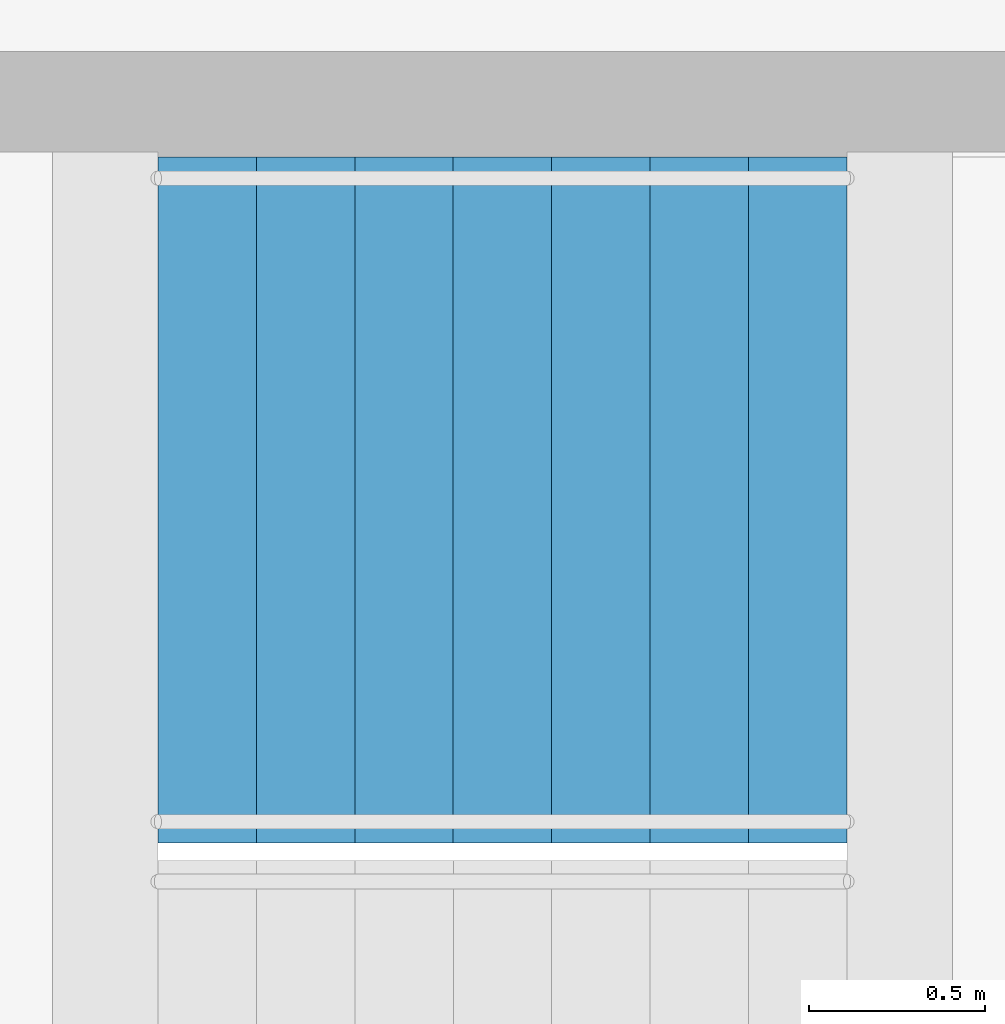
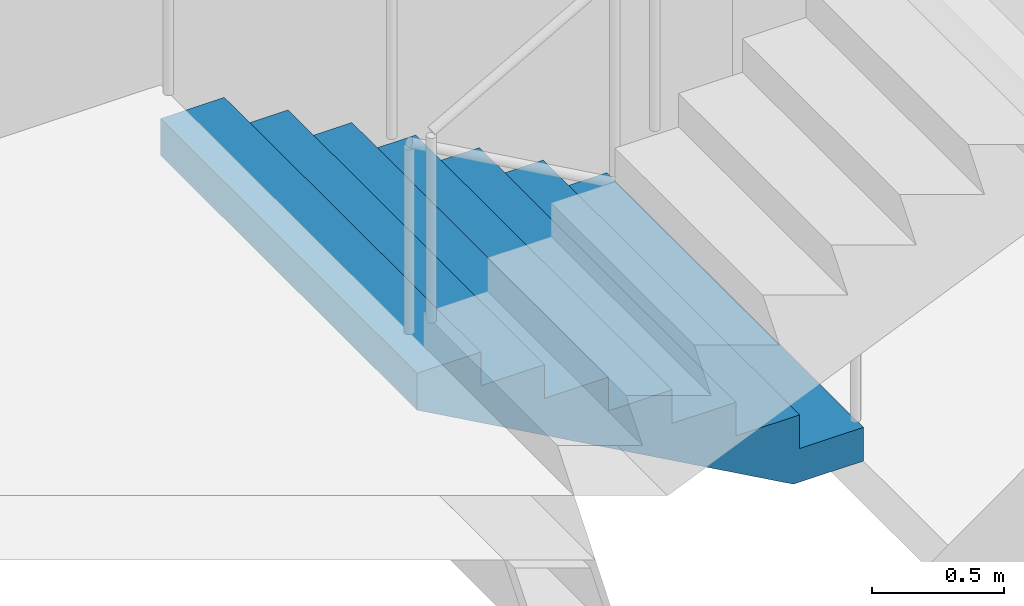
# One storey, part 26 of 37: 1 stair flight, 1 element without a shape of its own.
"""IFC4 building model written with IfcOpenShell, lengths in metres."""

from ifc_helpers import new_model, si_unit, direction, frame, origin, place, context, subcontext, project, spatial, triangles, material, type_object, element, aggregate, save


model = new_model("IFC4")

# Units and contexts
model_context = context("Model", 3, precision=1e-05, world=origin(), true_north=direction((0.0, 1.0)))
body_context = subcontext(model_context, "Body", "Model", "MODEL_VIEW")
ifc_project = project(units=[si_unit("LENGTHUNIT", "METRE"), si_unit("AREAUNIT", "SQUARE_METRE"), si_unit("VOLUMEUNIT", "CUBIC_METRE"), si_unit("PLANEANGLEUNIT", "RADIAN"), si_unit("MASSUNIT", "GRAM", prefix="KILO")], contexts=[model_context])

# Site, building, storey
site_placement = place(None, origin())
site = spatial("IfcSite", under=ifc_project, at=site_placement, CompositionType="ELEMENT")
building_placement = place(site_placement, origin())
building = spatial("IfcBuilding", under=site, at=building_placement, Name="Orbita Commons", CompositionType="ELEMENT")
storey_placement = place(building_placement, frame((0.0, 0.0, 6.0)))
storey = spatial("IfcBuildingStorey", under=building, at=storey_placement, Name="L01", CompositionType="ELEMENT", Elevation=6.0)

# Stair, stair flight
ifc_material_1 = material(Name="Precast concrete C40/50", Category="concrete")
stair_type = type_object("IfcStairType", Name="Exit stair S2 4 flights 8 risers 156", PredefinedType="HALF_TURN_STAIR", material=ifc_material_1)
stair_placement = place(storey_placement, origin())
stair = element("IfcStair", 1, at=stair_placement, inside=storey, type_object=stair_type, Name="Exit stair S2 L01", PredefinedType="HALF_TURN_STAIR")
ifc_material_2 = material(Name="Precast concrete C40/50", Category="concrete")
stair_flight_type = type_object("IfcStairFlightType", Name="Stair flight 8 risers 156 x 280", PredefinedType="STRAIGHT", material=ifc_material_2)
stair_flight_placement = place(storey_placement, frame((63.550048828125, 29.27490234375, 0.0), z_axis=(0.0, 0.0, 1.0), x_axis=(-1.0, 0.0, 0.0)))
stair_flight = element("IfcStairFlight", 2, at=stair_flight_placement, type_object=stair_flight_type, Name="S2 flight 1", NumberOfRisers=8, NumberOfTreads=7, PredefinedType="STRAIGHT", RiserHeight=0.15625, TreadLength=0.28, context=body_context, shape_type="Tessellation", body=[
    triangles([(0.0, 0.974976, 0.0), (0.0, 0.974976, 0.019531), (0.0, 0.81248, 0.019531), (0.0, 0.81248, 0.0), (0.0, 0.649984, 0.019531), (0.0, 0.649984, 0.0), (0.0, 0.487488, 0.019531), (0.0, 0.487488, 0.0), (0.0, 0.324992, 0.019531), (0.0, 0.324992, 0.0), (0.0, 0.162496, 0.019531), (0.0, 0.162496, 0.0), (0.0, 0.0, 0.019531), (0.0, 0.0, 0.0), (0.0, -0.162496, 0.019531), (0.0, -0.162496, 0.0), (0.0, -0.324992, 0.019531), (0.0, -0.324992, 0.0), (0.0, -0.487488, 0.019531), (0.0, -0.487488, 0.0), (0.0, -0.649984, 0.019531), (0.0, -0.649984, 0.0), (0.0, -0.81248, 0.019531), (0.0, -0.81248, 0.0), (0.0, -0.974976, 0.019531), (0.0, -0.974976, 0.0), (0.0, 0.974976, 0.039062), (0.0, 0.81248, 0.039062), (0.0, 0.649984, 0.039062), (0.0, 0.487488, 0.039062), (0.0, 0.324992, 0.039062), (0.0, 0.162496, 0.039062), (0.0, 0.0, 0.039062), (0.0, -0.162496, 0.039062), (0.0, -0.324992, 0.039062), (0.0, -0.487488, 0.039062), (0.0, -0.649984, 0.039062), (0.0, -0.81248, 0.039062), (0.0, -0.974976, 0.039062), (0.0, 0.974976, 0.058594), (0.0, 0.81248, 0.058594), (0.0, 0.649984, 0.058594), (0.0, 0.487488, 0.058594), (0.0, 0.324992, 0.058594), (0.0, 0.162496, 0.058594), (0.0, 0.0, 0.058594), (0.0, -0.162496, 0.058594), (0.0, -0.324992, 0.058594), (0.0, -0.487488, 0.058594), (0.0, -0.649984, 0.058594), (0.0, -0.81248, 0.058594), (0.0, -0.974976, 0.058594), (0.0, 0.974976, 0.078125), (0.0, 0.81248, 0.078125), (0.0, 0.649984, 0.078125), (0.0, 0.487488, 0.078125), (0.0, 0.324992, 0.078125), (0.0, 0.162496, 0.078125), (0.0, 0.0, 0.078125), (0.0, -0.162496, 0.078125), (0.0, -0.324992, 0.078125), (0.0, -0.487488, 0.078125), (0.0, -0.649984, 0.078125), (0.0, -0.81248, 0.078125), (0.0, -0.974976, 0.078125), (0.0, 0.974976, 0.097656), (0.0, 0.81248, 0.097656), (0.0, 0.649984, 0.097656), (0.0, 0.487488, 0.097656), (0.0, 0.324992, 0.097656), (0.0, 0.162496, 0.097656), (0.0, 0.0, 0.097656), (0.0, -0.162496, 0.097656), (0.0, -0.324992, 0.097656), (0.0, -0.487488, 0.097656), (0.0, -0.649984, 0.097656), (0.0, -0.81248, 0.097656), (0.0, -0.974976, 0.097656), (0.0, 0.974976, 0.117188), (0.0, 0.81248, 0.117188), (0.0, 0.649984, 0.117188), (0.0, 0.487488, 0.117188), (0.0, 0.324992, 0.117188), (0.0, 0.162496, 0.117188), (0.0, 0.0, 0.117188), (0.0, -0.162496, 0.117188), (0.0, -0.324992, 0.117188), (0.0, -0.487488, 0.117188), (0.0, -0.649984, 0.117188), (0.0, -0.81248, 0.117188), (0.0, -0.974976, 0.117188), (0.0, 0.974976, 0.136719), (0.0, 0.81248, 0.136719), (0.0, 0.649984, 0.136719), (0.0, 0.487488, 0.136719), (0.0, 0.324992, 0.136719), (0.0, 0.162496, 0.136719), (0.0, 0.0, 0.136719), (0.0, -0.162496, 0.136719), (0.0, -0.324992, 0.136719), (0.0, -0.487488, 0.136719), (0.0, -0.649984, 0.136719), (0.0, -0.81248, 0.136719), (0.0, -0.974976, 0.136719), (0.0, 0.974976, 0.15625), (0.0, 0.81248, 0.15625), (0.0, 0.649984, 0.15625), (0.0, 0.487488, 0.15625), (0.0, 0.324992, 0.15625), (0.0, 0.162496, 0.15625), (0.0, 0.0, 0.15625), (0.0, -0.162496, 0.15625), (0.0, -0.324992, 0.15625), (0.0, -0.487488, 0.15625), (0.0, -0.649984, 0.15625), (0.0, -0.81248, 0.15625), (0.0, -0.974976, 0.15625), (0.28, 0.974976, 0.15625), (0.28, 0.81248, 0.15625), (0.28, 0.649984, 0.15625), (0.28, 0.487488, 0.15625), (0.28, 0.324992, 0.15625), (0.28, 0.162496, 0.15625), (0.28, 0.0, 0.15625), (0.28, -0.162496, 0.15625), (0.28, -0.324992, 0.15625), (0.28, -0.487488, 0.15625), (0.28, -0.649984, 0.15625), (0.28, -0.81248, 0.15625), (0.28, -0.974976, 0.15625), (0.28, 0.974976, 0.3125), (0.28, 0.81248, 0.3125), (0.28, 0.649984, 0.3125), (0.28, 0.487488, 0.3125), (0.28, 0.324992, 0.3125), (0.28, 0.162496, 0.3125), (0.28, 0.0, 0.3125), (0.28, -0.162496, 0.3125), (0.28, -0.324992, 0.3125), (0.28, -0.487488, 0.3125), (0.28, -0.649984, 0.3125), (0.28, -0.81248, 0.3125), (0.28, -0.974976, 0.3125), (0.56, 0.974976, 0.3125), (0.56, 0.81248, 0.3125), (0.56, 0.649984, 0.3125), (0.56, 0.487488, 0.3125), (0.56, 0.324992, 0.3125), (0.56, 0.162496, 0.3125), (0.56, 0.0, 0.3125), (0.56, -0.162496, 0.3125), (0.56, -0.324992, 0.3125), (0.56, -0.487488, 0.3125), (0.56, -0.649984, 0.3125), (0.56, -0.81248, 0.3125), (0.56, -0.974976, 0.3125), (0.56, 0.974976, 0.46875), (0.56, 0.81248, 0.46875), (0.56, 0.649984, 0.46875), (0.56, 0.487488, 0.46875), (0.56, 0.324992, 0.46875), (0.56, 0.162496, 0.46875), (0.56, 0.0, 0.46875), (0.56, -0.162496, 0.46875), (0.56, -0.324992, 0.46875), (0.56, -0.487488, 0.46875), (0.56, -0.649984, 0.46875), (0.56, -0.81248, 0.46875), (0.56, -0.974976, 0.46875), (0.84, 0.974976, 0.46875), (0.84, 0.81248, 0.46875), (0.84, 0.649984, 0.46875), (0.84, 0.487488, 0.46875), (0.84, 0.324992, 0.46875), (0.84, 0.162496, 0.46875), (0.84, 0.0, 0.46875), (0.84, -0.162496, 0.46875), (0.84, -0.324992, 0.46875), (0.84, -0.487488, 0.46875), (0.84, -0.649984, 0.46875), (0.84, -0.81248, 0.46875), (0.84, -0.974976, 0.46875), (0.84, 0.974976, 0.625), (0.84, 0.81248, 0.625), (0.84, 0.649984, 0.625), (0.84, 0.487488, 0.625), (0.84, 0.324992, 0.625), (0.84, 0.162496, 0.625), (0.84, 0.0, 0.625), (0.84, -0.162496, 0.625), (0.84, -0.324992, 0.625), (0.84, -0.487488, 0.625), (0.84, -0.649984, 0.625), (0.84, -0.81248, 0.625), (0.84, -0.974976, 0.625), (1.12, 0.974976, 0.625), (1.12, 0.81248, 0.625), (1.12, 0.649984, 0.625), (1.12, 0.487488, 0.625), (1.12, 0.324992, 0.625), (1.12, 0.162496, 0.625), (1.12, 0.0, 0.625), (1.12, -0.162496, 0.625), (1.12, -0.324992, 0.625), (1.12, -0.487488, 0.625), (1.12, -0.649984, 0.625), (1.12, -0.81248, 0.625), (1.12, -0.974976, 0.625), (1.12, 0.974976, 0.78125), (1.12, 0.81248, 0.78125), (1.12, 0.649984, 0.78125), (1.12, 0.487488, 0.78125), (1.12, 0.324992, 0.78125), (1.12, 0.162496, 0.78125), (1.12, 0.0, 0.78125), (1.12, -0.162496, 0.78125), (1.12, -0.324992, 0.78125), (1.12, -0.487488, 0.78125), (1.12, -0.649984, 0.78125), (1.12, -0.81248, 0.78125), (1.12, -0.974976, 0.78125), (1.4, 0.974976, 0.78125), (1.4, 0.81248, 0.78125), (1.4, 0.649984, 0.78125), (1.4, 0.487488, 0.78125), (1.4, 0.324992, 0.78125), (1.4, 0.162496, 0.78125), (1.4, 0.0, 0.78125), (1.4, -0.162496, 0.78125), (1.4, -0.324992, 0.78125), (1.4, -0.487488, 0.78125), (1.4, -0.649984, 0.78125), (1.4, -0.81248, 0.78125), (1.4, -0.974976, 0.78125), (1.4, 0.974976, 0.9375), (1.4, 0.81248, 0.9375), (1.4, 0.649984, 0.9375), (1.4, 0.487488, 0.9375), (1.4, 0.324992, 0.9375), (1.4, 0.162496, 0.9375), (1.4, 0.0, 0.9375), (1.4, -0.162496, 0.9375), (1.4, -0.324992, 0.9375), (1.4, -0.487488, 0.9375), (1.4, -0.649984, 0.9375), (1.4, -0.81248, 0.9375), (1.4, -0.974976, 0.9375), (1.68, 0.974976, 0.9375), (1.68, 0.81248, 0.9375), (1.68, 0.649984, 0.9375), (1.68, 0.487488, 0.9375), (1.68, 0.324992, 0.9375), (1.68, 0.162496, 0.9375), (1.68, 0.0, 0.9375), (1.68, -0.162496, 0.9375), (1.68, -0.324992, 0.9375), (1.68, -0.487488, 0.9375), (1.68, -0.649984, 0.9375), (1.68, -0.81248, 0.9375), (1.68, -0.974976, 0.9375), (1.68, 0.974976, 1.09375), (1.68, 0.81248, 1.09375), (1.68, 0.649984, 1.09375), (1.68, 0.487488, 1.09375), (1.68, 0.324992, 1.09375), (1.68, 0.162496, 1.09375), (1.68, 0.0, 1.09375), (1.68, -0.162496, 1.09375), (1.68, -0.324992, 1.09375), (1.68, -0.487488, 1.09375), (1.68, -0.649984, 1.09375), (1.68, -0.81248, 1.09375), (1.68, -0.974976, 1.09375), (1.96, 0.974976, 1.09375), (1.96, 0.81248, 1.09375), (1.96, 0.649984, 1.09375), (1.96, 0.487488, 1.09375), (1.96, 0.324992, 1.09375), (1.96, 0.162496, 1.09375), (1.96, 0.0, 1.09375), (1.96, -0.162496, 1.09375), (1.96, -0.324992, 1.09375), (1.96, -0.487488, 1.09375), (1.96, -0.649984, 1.09375), (1.96, -0.81248, 1.09375), (1.96, -0.974976, 1.09375), (1.96, 0.974976, 1.072292), (1.96, 0.81248, 1.072292), (1.96, 0.649984, 1.072292), (1.96, 0.487488, 1.072292), (1.96, 0.324992, 1.072292), (1.96, 0.162496, 1.072292), (1.96, 0.0, 1.072292), (1.96, -0.162496, 1.072292), (1.96, -0.324992, 1.072292), (1.96, -0.487488, 1.072292), (1.96, -0.649984, 1.072292), (1.96, -0.81248, 1.072292), (1.96, -0.974976, 1.072292), (1.96, 0.974976, 1.050834), (1.96, 0.81248, 1.050834), (1.96, 0.649984, 1.050834), (1.96, 0.487488, 1.050834), (1.96, 0.324992, 1.050834), (1.96, 0.162496, 1.050834), (1.96, 0.0, 1.050834), (1.96, -0.162496, 1.050834), (1.96, -0.324992, 1.050834), (1.96, -0.487488, 1.050834), (1.96, -0.649984, 1.050834), (1.96, -0.81248, 1.050834), (1.96, -0.974976, 1.050834), (1.96, 0.974976, 1.029376), (1.96, 0.81248, 1.029376), (1.96, 0.649984, 1.029376), (1.96, 0.487488, 1.029376), (1.96, 0.324992, 1.029376), (1.96, 0.162496, 1.029376), (1.96, 0.0, 1.029376), (1.96, -0.162496, 1.029376), (1.96, -0.324992, 1.029376), (1.96, -0.487488, 1.029376), (1.96, -0.649984, 1.029376), (1.96, -0.81248, 1.029376), (1.96, -0.974976, 1.029376), (1.96, 0.974976, 1.007919), (1.96, 0.81248, 1.007919), (1.96, 0.649984, 1.007919), (1.96, 0.487488, 1.007919), (1.96, 0.324992, 1.007919), (1.96, 0.162496, 1.007919), (1.96, 0.0, 1.007919), (1.96, -0.162496, 1.007919), (1.96, -0.324992, 1.007919), (1.96, -0.487488, 1.007919), (1.96, -0.649984, 1.007919), (1.96, -0.81248, 1.007919), (1.96, -0.974976, 1.007919), (1.96, 0.974976, 0.986461), (1.96, 0.81248, 0.986461), (1.96, 0.649984, 0.986461), (1.96, 0.487488, 0.986461), (1.96, 0.324992, 0.986461), (1.96, 0.162496, 0.986461), (1.96, 0.0, 0.986461), (1.96, -0.162496, 0.986461), (1.96, -0.324992, 0.986461), (1.96, -0.487488, 0.986461), (1.96, -0.649984, 0.986461), (1.96, -0.81248, 0.986461), (1.96, -0.974976, 0.986461), (1.96, 0.974976, 0.965003), (1.96, 0.81248, 0.965003), (1.96, 0.649984, 0.965003), (1.96, 0.487488, 0.965003), (1.96, 0.324992, 0.965003), (1.96, 0.162496, 0.965003), (1.96, 0.0, 0.965003), (1.96, -0.162496, 0.965003), (1.96, -0.324992, 0.965003), (1.96, -0.487488, 0.965003), (1.96, -0.649984, 0.965003), (1.96, -0.81248, 0.965003), (1.96, -0.974976, 0.965003), (1.96, 0.974976, 0.943545), (1.96, 0.81248, 0.943545), (1.96, 0.649984, 0.943545), (1.96, 0.487488, 0.943545), (1.96, 0.324992, 0.943545), (1.96, 0.162496, 0.943545), (1.96, 0.0, 0.943545), (1.96, -0.162496, 0.943545), (1.96, -0.324992, 0.943545), (1.96, -0.487488, 0.943545), (1.96, -0.649984, 0.943545), (1.96, -0.81248, 0.943545), (1.96, -0.974976, 0.943545), (1.96, 0.974976, 0.922087), (1.96, 0.81248, 0.922087), (1.96, 0.649984, 0.922087), (1.96, 0.487488, 0.922087), (1.96, 0.324992, 0.922087), (1.96, 0.162496, 0.922087), (1.96, 0.0, 0.922087), (1.96, -0.162496, 0.922087), (1.96, -0.324992, 0.922087), (1.96, -0.487488, 0.922087), (1.96, -0.649984, 0.922087), (1.96, -0.81248, 0.922087), (1.96, -0.974976, 0.922087), (0.30762, 0.974976, 0.0), (0.30762, 0.81248, 0.0), (0.30762, 0.649984, 0.0), (0.30762, 0.487488, 0.0), (0.30762, 0.324992, 0.0), (0.30762, 0.162496, 0.0), (0.30762, 0.0, 0.0), (0.30762, -0.162496, 0.0), (0.30762, -0.324992, 0.0), (0.30762, -0.487488, 0.0), (0.30762, -0.649984, 0.0), (0.30762, -0.81248, 0.0), (0.30762, -0.974976, 0.0)], [[3, 2, 1], [4, 3, 1], [5, 3, 4], [6, 5, 4], [7, 5, 6], [8, 7, 6], [9, 7, 8], [10, 9, 8], [11, 9, 10], [12, 11, 10], [13, 11, 12], [14, 13, 12], [15, 13, 14], [16, 15, 14], [17, 15, 16], [18, 17, 16], [19, 17, 18], [20, 19, 18], [21, 19, 20], [22, 21, 20], [23, 21, 22], [24, 23, 22], [25, 23, 24], [26, 25, 24], [28, 27, 2], [3, 28, 2], [29, 28, 3], [5, 29, 3], [30, 29, 5], [7, 30, 5], [31, 30, 7], [9, 31, 7], [32, 31, 9], [11, 32, 9], [33, 32, 11], [13, 33, 11], [34, 33, 13], [15, 34, 13], [35, 34, 15], [17, 35, 15], [36, 35, 17], [19, 36, 17], [37, 36, 19], [21, 37, 19], [38, 37, 21], [23, 38, 21], [39, 38, 23], [25, 39, 23], [41, 40, 27], [28, 41, 27], [42, 41, 28], [29, 42, 28], [43, 42, 29], [30, 43, 29], [44, 43, 30], [31, 44, 30], [45, 44, 31], [32, 45, 31], [46, 45, 32], [33, 46, 32], [47, 46, 33], [34, 47, 33], [48, 47, 34], [35, 48, 34], [49, 48, 35], [36, 49, 35], [50, 49, 36], [37, 50, 36], [51, 50, 37], [38, 51, 37], [52, 51, 38], [39, 52, 38], [54, 53, 40], [41, 54, 40], [55, 54, 41], [42, 55, 41], [56, 55, 42], [43, 56, 42], [57, 56, 43], [44, 57, 43], [58, 57, 44], [45, 58, 44], [59, 58, 45], [46, 59, 45], [60, 59, 46], [47, 60, 46], [61, 60, 47], [48, 61, 47], [62, 61, 48], [49, 62, 48], [63, 62, 49], [50, 63, 49], [64, 63, 50], [51, 64, 50], [65, 64, 51], [52, 65, 51], [67, 66, 53], [54, 67, 53], [68, 67, 54], [55, 68, 54], [69, 68, 55], [56, 69, 55], [70, 69, 56], [57, 70, 56], [71, 70, 57], [58, 71, 57], [72, 71, 58], [59, 72, 58], [73, 72, 59], [60, 73, 59], [74, 73, 60], [61, 74, 60], [75, 74, 61], [62, 75, 61], [76, 75, 62], [63, 76, 62], [77, 76, 63], [64, 77, 63], [78, 77, 64], [65, 78, 64], [80, 79, 66], [67, 80, 66], [81, 80, 67], [68, 81, 67], [82, 81, 68], [69, 82, 68], [83, 82, 69], [70, 83, 69], [84, 83, 70], [71, 84, 70], [85, 84, 71], [72, 85, 71], [86, 85, 72], [73, 86, 72], [87, 86, 73], [74, 87, 73], [88, 87, 74], [75, 88, 74], [89, 88, 75], [76, 89, 75], [90, 89, 76], [77, 90, 76], [91, 90, 77], [78, 91, 77], [93, 92, 79], [80, 93, 79], [94, 93, 80], [81, 94, 80], [95, 94, 81], [82, 95, 81], [96, 95, 82], [83, 96, 82], [97, 96, 83], [84, 97, 83], [98, 97, 84], [85, 98, 84], [99, 98, 85], [86, 99, 85], [100, 99, 86], [87, 100, 86], [101, 100, 87], [88, 101, 87], [102, 101, 88], [89, 102, 88], [103, 102, 89], [90, 103, 89], [104, 103, 90], [91, 104, 90], [106, 105, 92], [93, 106, 92], [107, 106, 93], [94, 107, 93], [108, 107, 94], [95, 108, 94], [109, 108, 95], [96, 109, 95], [110, 109, 96], [97, 110, 96], [111, 110, 97], [98, 111, 97], [112, 111, 98], [99, 112, 98], [113, 112, 99], [100, 113, 99], [114, 113, 100], [101, 114, 100], [115, 114, 101], [102, 115, 101], [116, 115, 102], [103, 116, 102], [117, 116, 103], [104, 117, 103], [119, 118, 105], [106, 119, 105], [120, 119, 106], [107, 120, 106], [121, 120, 107], [108, 121, 107], [122, 121, 108], [109, 122, 108], [123, 122, 109], [110, 123, 109], [124, 123, 110], [111, 124, 110], [125, 124, 111], [112, 125, 111], [126, 125, 112], [113, 126, 112], [127, 126, 113], [114, 127, 113], [128, 127, 114], [115, 128, 114], [129, 128, 115], [116, 129, 115], [130, 129, 116], [117, 130, 116], [132, 131, 118], [119, 132, 118], [133, 132, 119], [120, 133, 119], [134, 133, 120], [121, 134, 120], [135, 134, 121], [122, 135, 121], [136, 135, 122], [123, 136, 122], [137, 136, 123], [124, 137, 123], [138, 137, 124], [125, 138, 124], [139, 138, 125], [126, 139, 125], [140, 139, 126], [127, 140, 126], [141, 140, 127], [128, 141, 127], [142, 141, 128], [129, 142, 128], [143, 142, 129], [130, 143, 129], [145, 144, 131], [132, 145, 131], [146, 145, 132], [133, 146, 132], [147, 146, 133], [134, 147, 133], [148, 147, 134], [135, 148, 134], [149, 148, 135], [136, 149, 135], [150, 149, 136], [137, 150, 136], [151, 150, 137], [138, 151, 137], [152, 151, 138], [139, 152, 138], [153, 152, 139], [140, 153, 139], [154, 153, 140], [141, 154, 140], [155, 154, 141], [142, 155, 141], [156, 155, 142], [143, 156, 142], [158, 157, 144], [145, 158, 144], [159, 158, 145], [146, 159, 145], [160, 159, 146], [147, 160, 146], [161, 160, 147], [148, 161, 147], [162, 161, 148], [149, 162, 148], [163, 162, 149], [150, 163, 149], [164, 163, 150], [151, 164, 150], [165, 164, 151], [152, 165, 151], [166, 165, 152], [153, 166, 152], [167, 166, 153], [154, 167, 153], [168, 167, 154], [155, 168, 154], [169, 168, 155], [156, 169, 155], [171, 170, 157], [158, 171, 157], [172, 171, 158], [159, 172, 158], [173, 172, 159], [160, 173, 159], [174, 173, 160], [161, 174, 160], [175, 174, 161], [162, 175, 161], [176, 175, 162], [163, 176, 162], [177, 176, 163], [164, 177, 163], [178, 177, 164], [165, 178, 164], [179, 178, 165], [166, 179, 165], [180, 179, 166], [167, 180, 166], [181, 180, 167], [168, 181, 167], [182, 181, 168], [169, 182, 168], [184, 183, 170], [171, 184, 170], [185, 184, 171], [172, 185, 171], [186, 185, 172], [173, 186, 172], [187, 186, 173], [174, 187, 173], [188, 187, 174], [175, 188, 174], [189, 188, 175], [176, 189, 175], [190, 189, 176], [177, 190, 176], [191, 190, 177], [178, 191, 177], [192, 191, 178], [179, 192, 178], [193, 192, 179], [180, 193, 179], [194, 193, 180], [181, 194, 180], [195, 194, 181], [182, 195, 181], [197, 196, 183], [184, 197, 183], [198, 197, 184], [185, 198, 184], [199, 198, 185], [186, 199, 185], [200, 199, 186], [187, 200, 186], [201, 200, 187], [188, 201, 187], [202, 201, 188], [189, 202, 188], [203, 202, 189], [190, 203, 189], [204, 203, 190], [191, 204, 190], [205, 204, 191], [192, 205, 191], [206, 205, 192], [193, 206, 192], [207, 206, 193], [194, 207, 193], [208, 207, 194], [195, 208, 194], [210, 209, 196], [197, 210, 196], [211, 210, 197], [198, 211, 197], [212, 211, 198], [199, 212, 198], [213, 212, 199], [200, 213, 199], [214, 213, 200], [201, 214, 200], [215, 214, 201], [202, 215, 201], [216, 215, 202], [203, 216, 202], [217, 216, 203], [204, 217, 203], [218, 217, 204], [205, 218, 204], [219, 218, 205], [206, 219, 205], [220, 219, 206], [207, 220, 206], [221, 220, 207], [208, 221, 207], [223, 222, 209], [210, 223, 209], [224, 223, 210], [211, 224, 210], [225, 224, 211], [212, 225, 211], [226, 225, 212], [213, 226, 212], [227, 226, 213], [214, 227, 213], [228, 227, 214], [215, 228, 214], [229, 228, 215], [216, 229, 215], [230, 229, 216], [217, 230, 216], [231, 230, 217], [218, 231, 217], [232, 231, 218], [219, 232, 218], [233, 232, 219], [220, 233, 219], [234, 233, 220], [221, 234, 220], [236, 235, 222], [223, 236, 222], [237, 236, 223], [224, 237, 223], [238, 237, 224], [225, 238, 224], [239, 238, 225], [226, 239, 225], [240, 239, 226], [227, 240, 226], [241, 240, 227], [228, 241, 227], [242, 241, 228], [229, 242, 228], [243, 242, 229], [230, 243, 229], [244, 243, 230], [231, 244, 230], [245, 244, 231], [232, 245, 231], [246, 245, 232], [233, 246, 232], [247, 246, 233], [234, 247, 233], [249, 248, 235], [236, 249, 235], [250, 249, 236], [237, 250, 236], [251, 250, 237], [238, 251, 237], [252, 251, 238], [239, 252, 238], [253, 252, 239], [240, 253, 239], [254, 253, 240], [241, 254, 240], [255, 254, 241], [242, 255, 241], [256, 255, 242], [243, 256, 242], [257, 256, 243], [244, 257, 243], [258, 257, 244], [245, 258, 244], [259, 258, 245], [246, 259, 245], [260, 259, 246], [247, 260, 246], [262, 261, 248], [249, 262, 248], [263, 262, 249], [250, 263, 249], [264, 263, 250], [251, 264, 250], [265, 264, 251], [252, 265, 251], [266, 265, 252], [253, 266, 252], [267, 266, 253], [254, 267, 253], [268, 267, 254], [255, 268, 254], [269, 268, 255], [256, 269, 255], [270, 269, 256], [257, 270, 256], [271, 270, 257], [258, 271, 257], [272, 271, 258], [259, 272, 258], [273, 272, 259], [260, 273, 259], [275, 274, 261], [262, 275, 261], [276, 275, 262], [263, 276, 262], [277, 276, 263], [264, 277, 263], [278, 277, 264], [265, 278, 264], [279, 278, 265], [266, 279, 265], [280, 279, 266], [267, 280, 266], [281, 280, 267], [268, 281, 267], [282, 281, 268], [269, 282, 268], [283, 282, 269], [270, 283, 269], [284, 283, 270], [271, 284, 270], [285, 284, 271], [272, 285, 271], [286, 285, 272], [273, 286, 272], [288, 287, 274], [275, 288, 274], [289, 288, 275], [276, 289, 275], [290, 289, 276], [277, 290, 276], [291, 290, 277], [278, 291, 277], [292, 291, 278], [279, 292, 278], [293, 292, 279], [280, 293, 279], [294, 293, 280], [281, 294, 280], [295, 294, 281], [282, 295, 281], [296, 295, 282], [283, 296, 282], [297, 296, 283], [284, 297, 283], [298, 297, 284], [285, 298, 284], [299, 298, 285], [286, 299, 285], [301, 300, 287], [288, 301, 287], [302, 301, 288], [289, 302, 288], [303, 302, 289], [290, 303, 289], [304, 303, 290], [291, 304, 290], [305, 304, 291], [292, 305, 291], [306, 305, 292], [293, 306, 292], [307, 306, 293], [294, 307, 293], [308, 307, 294], [295, 308, 294], [309, 308, 295], [296, 309, 295], [310, 309, 296], [297, 310, 296], [311, 310, 297], [298, 311, 297], [312, 311, 298], [299, 312, 298], [314, 313, 300], [301, 314, 300], [315, 314, 301], [302, 315, 301], [316, 315, 302], [303, 316, 302], [317, 316, 303], [304, 317, 303], [318, 317, 304], [305, 318, 304], [319, 318, 305], [306, 319, 305], [320, 319, 306], [307, 320, 306], [321, 320, 307], [308, 321, 307], [322, 321, 308], [309, 322, 308], [323, 322, 309], [310, 323, 309], [324, 323, 310], [311, 324, 310], [325, 324, 311], [312, 325, 311], [327, 326, 313], [314, 327, 313], [328, 327, 314], [315, 328, 314], [329, 328, 315], [316, 329, 315], [330, 329, 316], [317, 330, 316], [331, 330, 317], [318, 331, 317], [332, 331, 318], [319, 332, 318], [333, 332, 319], [320, 333, 319], [334, 333, 320], [321, 334, 320], [335, 334, 321], [322, 335, 321], [336, 335, 322], [323, 336, 322], [337, 336, 323], [324, 337, 323], [338, 337, 324], [325, 338, 324], [340, 339, 326], [327, 340, 326], [341, 340, 327], [328, 341, 327], [342, 341, 328], [329, 342, 328], [343, 342, 329], [330, 343, 329], [344, 343, 330], [331, 344, 330], [345, 344, 331], [332, 345, 331], [346, 345, 332], [333, 346, 332], [347, 346, 333], [334, 347, 333], [348, 347, 334], [335, 348, 334], [349, 348, 335], [336, 349, 335], [350, 349, 336], [337, 350, 336], [351, 350, 337], [338, 351, 337], [353, 352, 339], [340, 353, 339], [354, 353, 340], [341, 354, 340], [355, 354, 341], [342, 355, 341], [356, 355, 342], [343, 356, 342], [357, 356, 343], [344, 357, 343], [358, 357, 344], [345, 358, 344], [359, 358, 345], [346, 359, 345], [360, 359, 346], [347, 360, 346], [361, 360, 347], [348, 361, 347], [362, 361, 348], [349, 362, 348], [363, 362, 349], [350, 363, 349], [364, 363, 350], [351, 364, 350], [366, 365, 352], [353, 366, 352], [367, 366, 353], [354, 367, 353], [368, 367, 354], [355, 368, 354], [369, 368, 355], [356, 369, 355], [370, 369, 356], [357, 370, 356], [371, 370, 357], [358, 371, 357], [372, 371, 358], [359, 372, 358], [373, 372, 359], [360, 373, 359], [374, 373, 360], [361, 374, 360], [375, 374, 361], [362, 375, 361], [376, 375, 362], [363, 376, 362], [377, 376, 363], [364, 377, 363], [379, 378, 365], [366, 379, 365], [380, 379, 366], [367, 380, 366], [381, 380, 367], [368, 381, 367], [382, 381, 368], [369, 382, 368], [383, 382, 369], [370, 383, 369], [384, 383, 370], [371, 384, 370], [385, 384, 371], [372, 385, 371], [386, 385, 372], [373, 386, 372], [387, 386, 373], [374, 387, 373], [388, 387, 374], [375, 388, 374], [389, 388, 375], [376, 389, 375], [390, 389, 376], [377, 390, 376], [392, 391, 378], [379, 392, 378], [393, 392, 379], [380, 393, 379], [394, 393, 380], [381, 394, 380], [395, 394, 381], [382, 395, 381], [396, 395, 382], [383, 396, 382], [397, 396, 383], [384, 397, 383], [398, 397, 384], [385, 398, 384], [399, 398, 385], [386, 399, 385], [400, 399, 386], [387, 400, 386], [401, 400, 387], [388, 401, 387], [402, 401, 388], [389, 402, 388], [403, 402, 389], [390, 403, 389], [4, 1, 391], [392, 4, 391], [6, 4, 392], [393, 6, 392], [8, 6, 393], [394, 8, 393], [10, 8, 394], [395, 10, 394], [12, 10, 395], [396, 12, 395], [14, 12, 396], [397, 14, 396], [16, 14, 397], [398, 16, 397], [18, 16, 398], [399, 18, 398], [20, 18, 399], [400, 20, 399], [22, 20, 400], [401, 22, 400], [24, 22, 401], [402, 24, 401], [26, 24, 402], [403, 26, 402], [378, 391, 1], [26, 403, 390], [365, 378, 1], [26, 390, 377], [352, 365, 1], [26, 377, 364], [339, 352, 1], [26, 364, 351], [326, 339, 1], [26, 351, 338], [313, 326, 1], [26, 338, 325], [300, 313, 1], [26, 325, 312], [287, 300, 1], [26, 312, 299], [261, 274, 287], [299, 286, 273], [248, 261, 287], [299, 273, 260], [222, 235, 248], [260, 247, 234], [222, 248, 287], [299, 260, 234], [196, 209, 222], [234, 221, 208], [196, 222, 287], [299, 234, 208], [170, 183, 196], [208, 195, 182], [170, 196, 287], [299, 208, 182], [144, 157, 170], [182, 169, 156], [144, 170, 287], [299, 182, 156], [118, 131, 144], [156, 143, 130], [118, 144, 287], [299, 156, 130], [118, 287, 1], [26, 299, 130], [92, 105, 118], [130, 117, 104], [79, 92, 118], [130, 104, 91], [66, 79, 118], [130, 91, 78], [53, 66, 118], [130, 78, 65], [40, 53, 118], [130, 65, 52], [27, 40, 118], [130, 52, 39], [2, 27, 118], [130, 39, 25], [1, 2, 118], [130, 25, 26]], closed=True),
])
aggregate(stair, [stair_flight])

save(model, "model.ifc")
